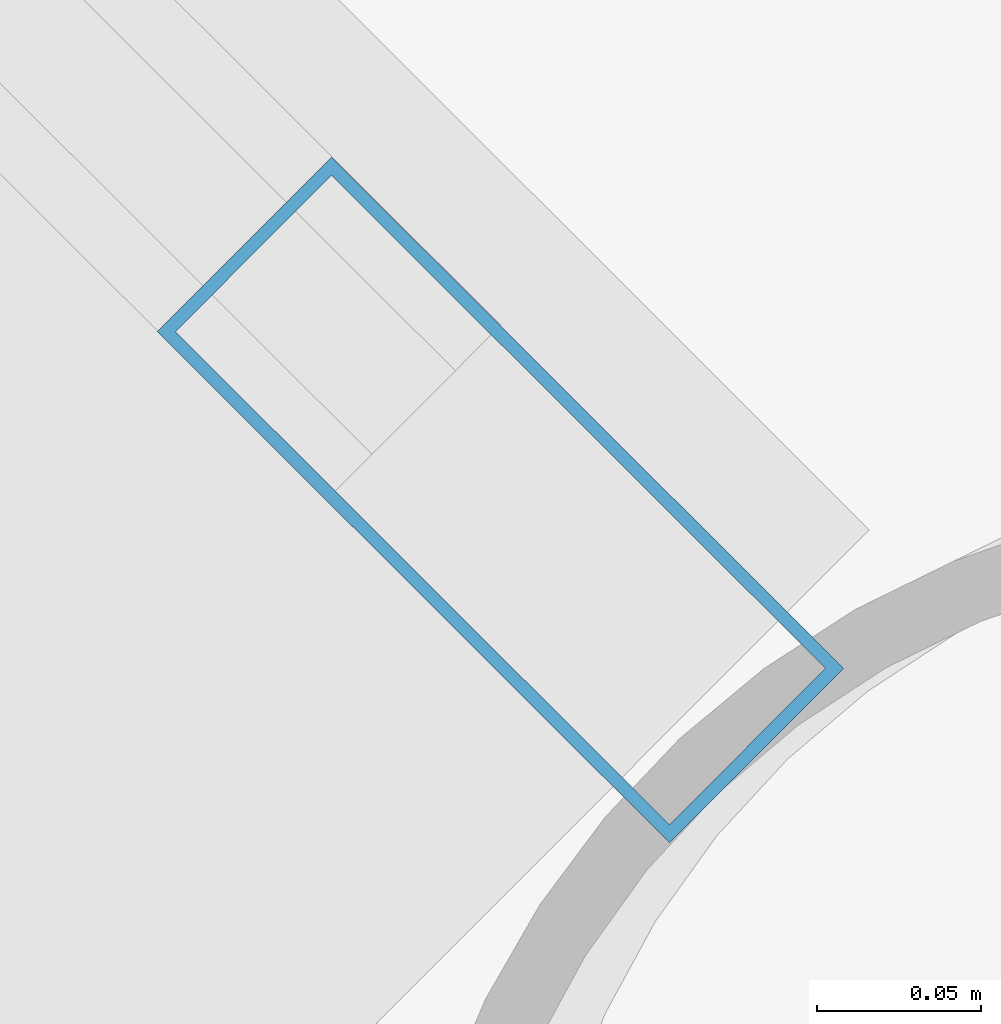
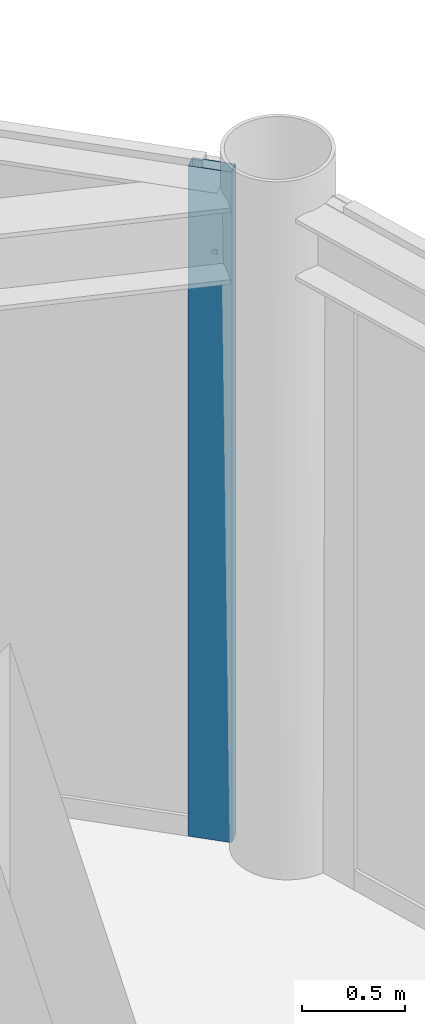
# One storey, part 14 of 21: 1 member, 1 element without a shape of its own.
"""IFC4 building model written with IfcOpenShell, lengths in metres."""

from ifc_helpers import new_model, si_unit, direction, frame, origin, origin_2d, place, context, subcontext, project, spatial, hollow_rectangle, extrude, material, layer, layer_set, material_profile, profile_set, type_object, element, aggregate, save


model = new_model("IFC4")

# Units and contexts
model_context = context("Model", 3, precision=1e-05, world=origin(), true_north=direction((0.0, 1.0)))
body_context = subcontext(model_context, "Body", "Model", "MODEL_VIEW")
ifc_project = project(units=[si_unit("LENGTHUNIT", "METRE"), si_unit("AREAUNIT", "SQUARE_METRE"), si_unit("VOLUMEUNIT", "CUBIC_METRE"), si_unit("PLANEANGLEUNIT", "RADIAN"), si_unit("MASSUNIT", "GRAM", prefix="KILO")], contexts=[model_context])

# Site, building, storey
site_placement = place(None, origin())
site = spatial("IfcSite", under=ifc_project, at=site_placement, CompositionType="ELEMENT")
building_placement = place(site_placement, origin())
building = spatial("IfcBuilding", under=site, at=building_placement, Name="Varnakorn Sky Granary", CompositionType="ELEMENT")
storey_placement = place(building_placement, frame((0.0, 0.0, 294.0)))
storey = spatial("IfcBuildingStorey", under=building, at=storey_placement, Name="L75", CompositionType="ELEMENT", Elevation=294.0)

# Curtain wall, member
ifc_material = material(Name="Anodised Bronze Aluminium Alloy 6063-T6", Category="aluminium")
ifc_layer = layer(ifc_material, 0.22998046875, Name="Anodised Bronze Aluminium Alloy 6063-T6")
ifc_layer_set = layer_set([ifc_layer], Name="Anodised Bronze Aluminium Alloy 6063-T6")
curtain_wall_type = type_object("IfcCurtainWallType", Name="CW-LNT-1", PredefinedType="USERDEFINED", material=ifc_layer_set)
curtain_wall_placement = place(storey_placement, origin())
curtain_wall = element("IfcCurtainWall", 1, at=curtain_wall_placement, inside=storey, type_object=curtain_wall_type, Name="Unitised Curtain Wall CW7 CW-L75-B02", ObjectType="CURTAIN WALL", PredefinedType="USERDEFINED")
ifc_material_profile = material_profile(ifc_material, hollow_rectangle(XDim=0.074951171875, YDim=0.219970703125, WallThickness=0.00390625, at=origin_2d()), Name="ALU MULL 75x220")
ifc_profile_set = profile_set([ifc_material_profile], Name="Anodised Bronze Aluminium Alloy 6063-T6")
member_type = type_object("IfcMemberType", Name="CW-LNT-1-MULL", PredefinedType="MULLION", material=ifc_profile_set)
member_placement = place(storey_placement, frame((19.763671875, 9.01318359375, 0.0), z_axis=(0.0, 0.0, 1.0), x_axis=(0.706396880071, 0.70781597031, 0.0)))
member = element("IfcMember", 2, at=member_placement, type_object=member_type, Name="CW7 mullion 5", PredefinedType="MULLION", context=body_context, shape_type="SweptSolid", body=[
    extrude(hollow_rectangle(XDim=0.074951171875, YDim=0.219970703125, WallThickness=0.00390625, at=origin_2d()), origin(), (0.0, 0.0, 1.0), 3.9599609375),
])
aggregate(curtain_wall, [member])

save(model, "model.ifc")
